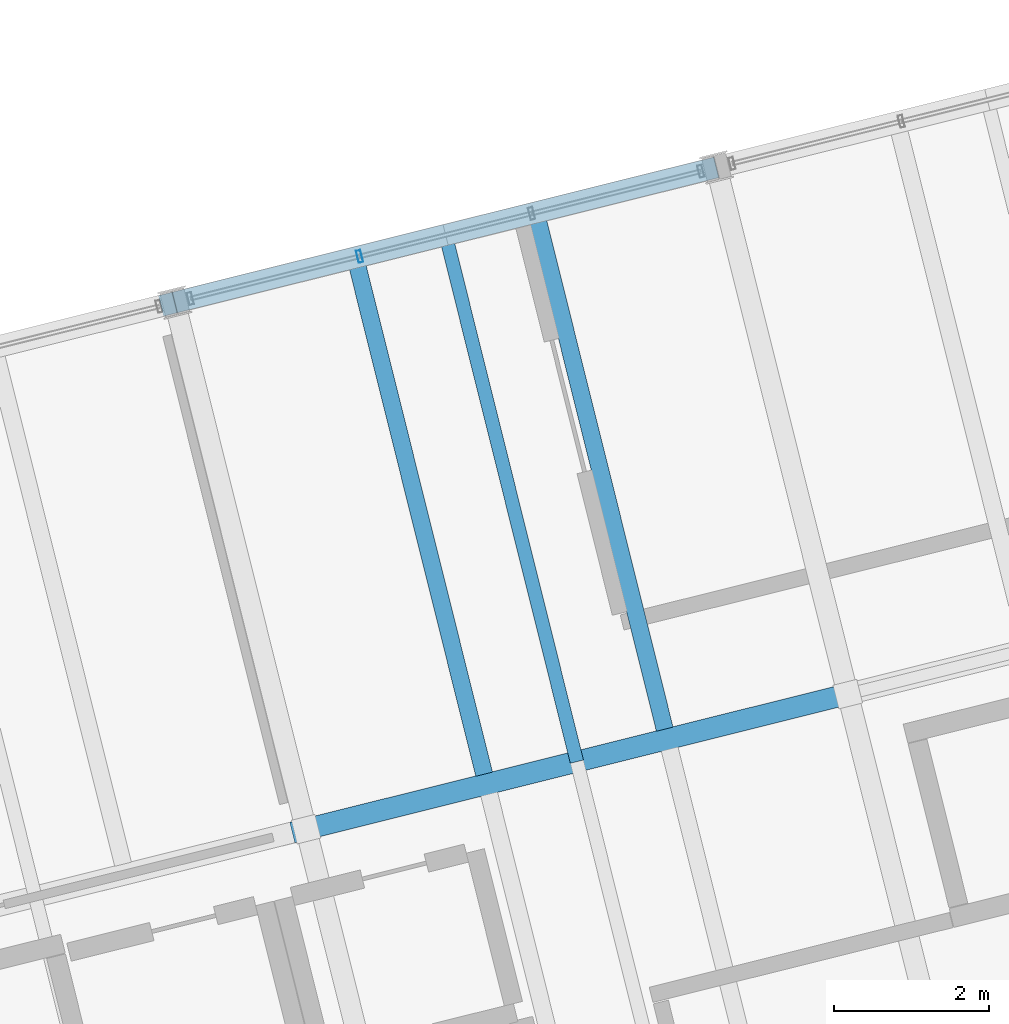
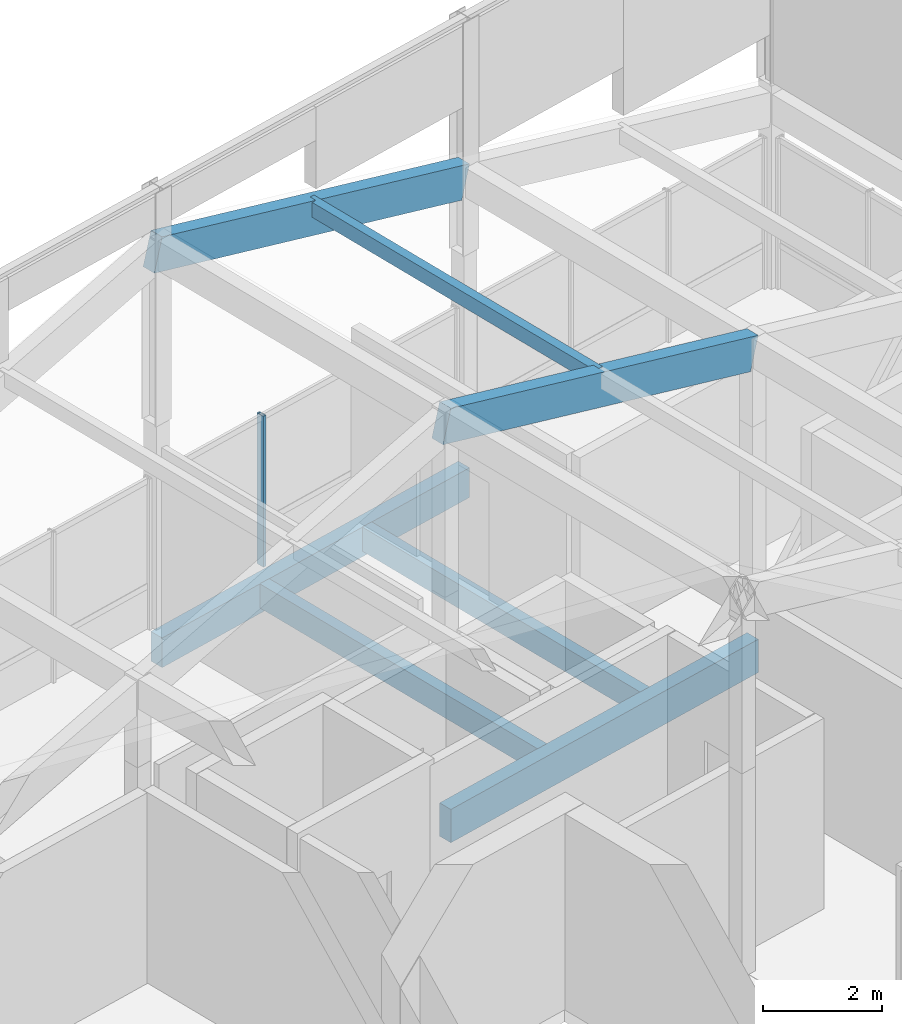
# One storey, part 20 of 31: 6 beams, 2 members, 1 element without a shape of its own.
"""IFC4 building model written with IfcOpenShell, lengths in metres."""

from ifc_helpers import new_model, si_unit, direction, frame, origin, origin_2d, place, context, subcontext, project, spatial, rectangle, hollow_rectangle, extrude, material, layer, layer_set, material_profile, profile_set, type_object, element, aggregate, save


model = new_model("IFC4")

# Units and contexts
model_context = context("Model", 3, precision=1e-05, world=origin(), true_north=direction((0.0, 1.0)))
body_context = subcontext(model_context, "Body", "Model", "MODEL_VIEW")
ifc_project = project(units=[si_unit("LENGTHUNIT", "METRE"), si_unit("AREAUNIT", "SQUARE_METRE"), si_unit("VOLUMEUNIT", "CUBIC_METRE"), si_unit("PLANEANGLEUNIT", "RADIAN"), si_unit("MASSUNIT", "GRAM", prefix="KILO")], contexts=[model_context])

# Site, building, storey
site_placement = place(None, origin())
site = spatial("IfcSite", under=ifc_project, at=site_placement, CompositionType="ELEMENT")
building_placement = place(site_placement, origin())
building = spatial("IfcBuilding", under=site, at=building_placement, Name="Meriwether Solvik Hall", CompositionType="ELEMENT")
storey_placement = place(building_placement, frame((0.0, 0.0, 61.199951171875)))
storey = spatial("IfcBuildingStorey", under=building, at=storey_placement, Name="L15", CompositionType="ELEMENT", Elevation=61.199951171875)

# Beams
ifc_material_1 = material(Name="Glulam Douglas-Fir 24F-V8 GL28h", Category="wood")
ifc_material_profile_1 = material_profile(ifc_material_1, rectangle(XDim=0.27294921875, YDim=0.610107421875, at=origin_2d()), Name="GLB-273X610")
ifc_profile_set_1 = profile_set([ifc_material_profile_1], Name="Glulam Douglas-Fir 24F-V8 GL28h")
beam_type_1 = type_object("IfcBeamType", Name="BM-GL-273X610", PredefinedType="SPANDREL", material=ifc_profile_set_1)
beam_1_placement = place(storey_placement, frame((76.1865234375, 71.94873046875, -0.550048828125), z_axis=(0.970291911955, 0.241937193493, 0.0), x_axis=(-0.241937193493, 0.970291911955, 0.0)))
element("IfcBeam", 1, at=beam_1_placement, inside=storey, type_object=beam_type_1, Name="Tower Girder TE:T3-T4 (L15)", PredefinedType="SPANDREL", context=body_context, shape_type="SweptSolid", body=[
    extrude(rectangle(XDim=0.27294921875, YDim=0.610107421875, at=origin_2d()), origin(), (0.0, 0.0, 1.0), 7.199951171875),
])
ifc_material_2 = material(Name="Glulam Douglas-Fir 24F-V8 GL28h", Category="wood")
ifc_material_profile_2 = material_profile(ifc_material_2, rectangle(XDim=0.27294921875, YDim=0.68505859375, at=origin_2d()), Name="GLB-273X685")
ifc_profile_set_2 = profile_set([ifc_material_profile_2], Name="Glulam Douglas-Fir 24F-V8 GL28h")
beam_type_2 = type_object("IfcBeamType", Name="BM-GL-273X685", PredefinedType="BEAM", material=ifc_profile_set_2)
beam_2_placement = place(storey_placement, frame((77.880126953125, 65.15673828125, -0.58740234375), z_axis=(0.970299871507, 0.241905269381, 0.0), x_axis=(-0.241905269381, 0.970299871507, 0.0)))
element("IfcBeam", 2, at=beam_2_placement, inside=storey, type_object=beam_type_2, Name="Tower Girder TD:T3-T4 (L15)", PredefinedType="BEAM", context=body_context, shape_type="SweptSolid", body=[
    extrude(rectangle(XDim=0.27294921875, YDim=0.68505859375, at=origin_2d()), origin(), (0.0, 0.0, 1.0), 7.199951171875),
])
for number, where, z_axis, x_axis, name in (
    (3, (77.791015625, 65.134521484375, 7.674072265625), (0.934900584073, 0.23307988002, -0.2676465345), (-0.241905269381, 0.970299871507, 0.0), "Sloped Roof Rafter TD:T3-T4"),
    (4, (76.09765625, 71.926513671875, 7.674072265625), (0.93489346428, 0.233110776433, -0.267644496222), (-0.241937193493, 0.970291911955, 0.0), "Sloped Roof Rafter TE:T3-T4"),
):
    element("IfcBeam", number, at=place(storey_placement, frame(where, z_axis=z_axis, x_axis=x_axis)), inside=storey, type_object=beam_type_2, Name=name, PredefinedType="BEAM", context=body_context, shape_type="SweptSolid", body=[
        extrude(rectangle(XDim=0.27294921875, YDim=0.68505859375, at=origin_2d()), origin(), (0.0, 0.0, 1.0), 7.47265625),
    ])

# Curtain wall, member
ifc_material_3 = material(Name="Thermally Broken Anodised Aluminium 6063-T6 and Low-E Glass", Category="aluminium")
ifc_layer = layer(ifc_material_3, 0.179931640625)
ifc_layer_set = layer_set([ifc_layer], Name="Thermally Broken Anodised Aluminium 6063-T6 and Low-E Glass")
curtain_wall_type = type_object("IfcCurtainWallType", Name="CW-UNIT-C", PredefinedType="USERDEFINED", material=ifc_layer_set)
curtain_wall_placement = place(storey_placement, origin())
curtain_wall = element("IfcCurtainWall", 5, at=curtain_wall_placement, inside=storey, type_object=curtain_wall_type, Name="Curtain Wall E2_B2 (L15)", ObjectType="UNITISED CURTAIN WALL", PredefinedType="USERDEFINED")
ifc_material_4 = material(Name="Anodised Aluminium 6063-T6", Category="aluminium")
ifc_material_profile_3 = material_profile(ifc_material_4, hollow_rectangle(XDim=0.06005859375, YDim=0.159912109375, WallThickness=0.00390625, at=origin_2d()), Name="CWM-60X160")
ifc_profile_set_3 = profile_set([ifc_material_profile_3], Name="Anodised Aluminium 6063-T6")
member_type_1 = type_object("IfcMemberType", Name="CW-MUL-60X160", PredefinedType="MULLION", material=ifc_profile_set_3)
member_1_placement = place(storey_placement, frame((78.570068359375, 72.54296875, 0.0), z_axis=(0.0, 0.0, 1.0), x_axis=(0.970295730764, 0.241921877598, 0.0)))
member_1 = element("IfcMember", 6, at=member_1_placement, type_object=member_type_1, Name="Curtain Wall Mullion 2", PredefinedType="MULLION", context=body_context, shape_type="SweptSolid", body=[
    extrude(hollow_rectangle(XDim=0.06005859375, YDim=0.159912109375, WallThickness=0.00390625, at=origin_2d()), origin(), (0.0, 0.0, 1.0), 3.10205078125),
])
aggregate(curtain_wall, [member_1])

# Beams
ifc_material_5 = material(Name="Glulam Douglas-Fir 24F-V8 GL28h", Category="wood")
ifc_material_profile_4 = material_profile(ifc_material_5, rectangle(XDim=0.221923828125, YDim=0.4951171875, at=origin_2d()), Name="GLJ-222X495")
ifc_profile_set_4 = profile_set([ifc_material_profile_4], Name="Glulam Douglas-Fir 24F-V8 GL28h")
beam_type_3 = type_object("IfcBeamType", Name="JST-GL-222X495", PredefinedType="JOIST", material=ifc_profile_set_4)
beam_3_placement = place(storey_placement, frame((80.177001953125, 65.86474609375, -0.492431640625), z_axis=(-0.241921670289, 0.970295782452, 0.0), x_axis=(-0.970295782452, -0.241921670289, 0.0)))
element("IfcBeam", 7, at=beam_3_placement, inside=storey, type_object=beam_type_3, Name="Glulam Floor Joist T3/TD-J1 (L15)", PredefinedType="JOIST", context=body_context, shape_type="SweptSolid", body=[
    extrude(rectangle(XDim=0.221923828125, YDim=0.4951171875, at=origin_2d()), origin(), (0.0, 0.0, 1.0), 6.7373046875),
])
beam_4_placement = place(storey_placement, frame((82.505615234375, 66.445556640625, -0.492431640625), z_axis=(-0.241930176813, 0.9702936615, 0.0), x_axis=(-0.9702936615, -0.241930176813, 0.0)))
element("IfcBeam", 8, at=beam_4_placement, inside=storey, type_object=beam_type_3, Name="Glulam Floor Joist T3/TD-J2 (L15)", PredefinedType="JOIST", context=body_context, shape_type="SweptSolid", body=[
    extrude(rectangle(XDim=0.221923828125, YDim=0.4951171875, at=origin_2d()), origin(), (0.0, 0.0, 1.0), 6.737060546875),
])

# Member
ifc_material_6 = material(Name="Glulam Douglas-Fir 24F-V8 GL28h", Category="wood")
ifc_material_profile_5 = material_profile(ifc_material_6, rectangle(XDim=0.175048828125, YDim=0.304931640625, at=origin_2d()), Name="GLM-175X305")
ifc_profile_set_5 = profile_set([ifc_material_profile_5], Name="Glulam Douglas-Fir 24F-V8 GL28h")
member_type_2 = type_object("IfcMemberType", Name="MEM-PRL-GL175", PredefinedType="PURLIN", material=ifc_profile_set_5)
member_2_placement = place(storey_placement, frame((81.373046875, 66.027587890625, 6.8515625), z_axis=(-0.241911879182, 0.970298223594, 0.0), x_axis=(-0.970298223594, -0.241911879182, 0.0)))
element("IfcMember", 9, at=member_2_placement, inside=storey, type_object=member_type_2, Name="Tower Roof Glulam Purlin 3.4", PredefinedType="PURLIN", context=body_context, shape_type="SweptSolid", body=[
    extrude(rectangle(XDim=0.175048828125, YDim=0.304931640625, at=origin_2d()), origin(), (0.0, 0.0, 1.0), 7.0),
])

save(model, "model.ifc")
